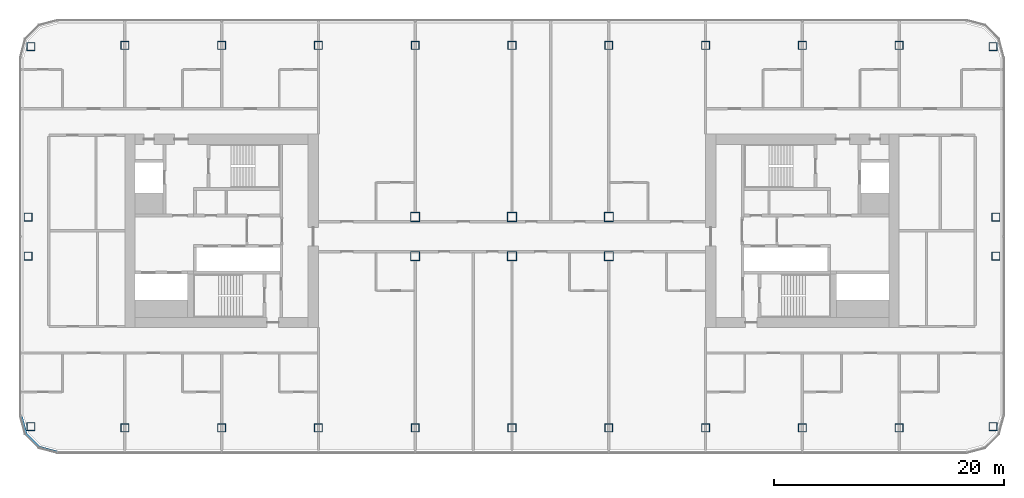
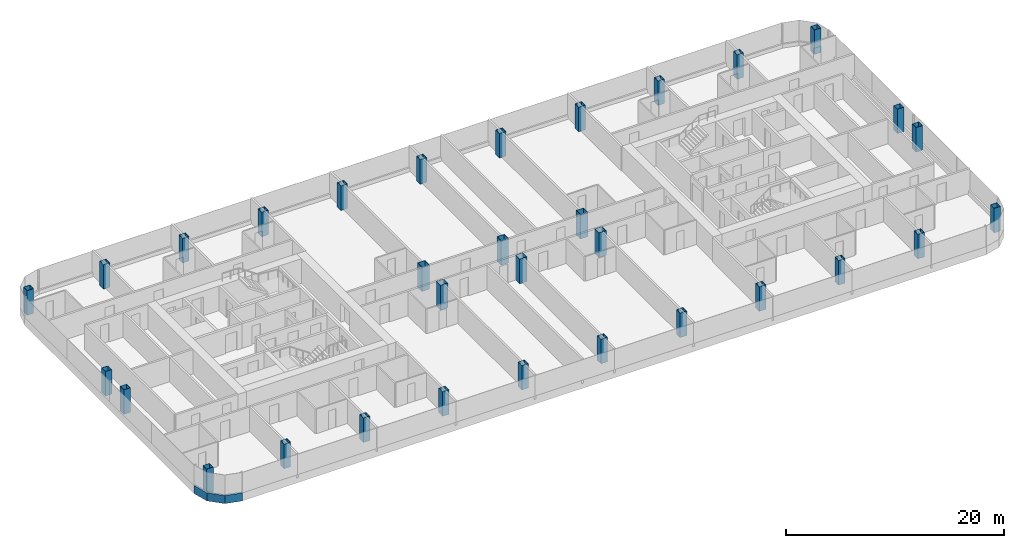
# One storey, part 1 of 26: 32 columns, 1 member, 1 element without a shape of its own.
"""IFC4 building model written with IfcOpenShell, lengths in metres."""

from ifc_helpers import new_model, si_unit, direction, frame, origin, origin_2d, place, context, subcontext, project, spatial, polyline, rectangle, hollow_rectangle, outline, extrude, material, layer, layer_set, material_profile, profile_set, type_object, element, aggregate, save


model = new_model("IFC4")

# Units and contexts
model_context = context("Model", 3, precision=1e-05, world=origin(), true_north=direction((0.0, 1.0)))
body_context = subcontext(model_context, "Body", "Model", "MODEL_VIEW")
ifc_project = project(units=[si_unit("LENGTHUNIT", "METRE"), si_unit("AREAUNIT", "SQUARE_METRE"), si_unit("VOLUMEUNIT", "CUBIC_METRE"), si_unit("PLANEANGLEUNIT", "RADIAN"), si_unit("MASSUNIT", "GRAM", prefix="KILO")], contexts=[model_context])

# Site, building, storey
site_placement = place(None, origin())
site = spatial("IfcSite", under=ifc_project, at=site_placement, CompositionType="ELEMENT")
building_placement = place(site_placement, origin())
building = spatial("IfcBuilding", under=site, at=building_placement, Name="Hakoniwa Tower and Hamabe Station Hall", CompositionType="ELEMENT")
storey_placement = place(building_placement, frame((0.0, 0.0, 131.0)))
storey = spatial("IfcBuildingStorey", under=building, at=storey_placement, Name="L36", CompositionType="ELEMENT", Elevation=131.0)

# Columns
ifc_material_1 = material(Name="Steel SN490C", Category="steel")
ifc_material_profile_1 = material_profile(ifc_material_1, hollow_rectangle(XDim=0.699951171875, YDim=0.699951171875, WallThickness=0.028076171875, at=origin_2d()), Name="BX-700x700x28")
ifc_profile_set_1 = profile_set([ifc_material_profile_1], Name="Steel SN490C")
column_type_1 = type_object("IfcColumnType", Name="COLUMN BX-700x700x28", PredefinedType="COLUMN", material=ifc_profile_set_1)
for number, where, z_axis, x_axis, name in (
    (1, (-41.74853515625, -16.99365234375, 0.0), (0.0, 0.0, 1.0), (1.0, 0.0, 0.0), "Column B3-2-A3"),
    (2, (-42.0, -2.199951171875, 0.0), (0.0, 0.0, 1.0), (1.0, 0.0, 0.0), "Column B3-2-C3"),
    (3, (-42.0, 1.199951171875, 0.0), (0.0, 0.0, 1.0), (1.0, 0.0, 0.0), "Column B3-2-D3"),
    (4, (-41.74853515625, 15.99365234375, 0.0), (0.0, 0.0, 1.0), (1.0, 0.0, 0.0), "Column B3-2-F3"),
    (5, (-33.60009765625, -17.10009765625, 0.0), (0.0, 0.0, 1.0), (1.0, 0.0, 0.0), "Column B3-3-A3"),
    (6, (-33.60009765625, 16.10009765625, 0.0), (0.0, 0.0, 1.0), (1.0, 0.0, 0.0), "Column B3-3-F3"),
    (7, (-25.199951171875, -17.10009765625, 0.0), (0.0, 0.0, 1.0), (1.0, 0.0, 0.0), "Column B3-4-A3"),
    (8, (-25.199951171875, 16.10009765625, 0.0), (0.0, 0.0, 1.0), (1.0, 0.0, 0.0), "Column B3-4-F3"),
    (9, (-16.800048828125, -17.10009765625, 0.0), (0.0, 0.0, 1.0), (1.0, 0.0, 0.0), "Column B3-5-A3"),
    (10, (-16.800048828125, 16.10009765625, 0.0), (0.0, 0.0, 1.0), (1.0, 0.0, 0.0), "Column B3-5-F3"),
    (11, (-8.39990234375, -17.10009765625, 0.0), (0.0, 0.0, 1.0), (1.0, 0.0, 0.0), "Column B3-6-A3"),
    (12, (-8.39990234375, 16.10009765625, 0.0), (0.0, 0.0, 1.0), (1.0, 0.0, 0.0), "Column B3-6-F3"),
    (13, (0.0, -17.10009765625, 0.0), (0.0, 0.0, 1.0), (1.0, 0.0, 0.0), "Column B3-7-A3"),
    (14, (0.0, 16.10009765625, 0.0), (0.0, 0.0, 1.0), (1.0, 0.0, 0.0), "Column B3-7-F3"),
    (15, (8.39990234375, -17.10009765625, 0.0), (0.0, 0.0, 1.0), (1.0, 0.0, 0.0), "Column B3-8-A3"),
    (16, (8.39990234375, 16.10009765625, 0.0), (0.0, 0.0, 1.0), (1.0, 0.0, 0.0), "Column B3-8-F3"),
    (17, (16.800048828125, -17.10009765625, 0.0), (0.0, 0.0, 1.0), (1.0, 0.0, 0.0), "Column B3-9-A3"),
    (18, (16.800048828125, 16.10009765625, 0.0), (0.0, 0.0, 1.0), (1.0, 0.0, 0.0), "Column B3-9-F3"),
    (19, (25.199951171875, -17.10009765625, 0.0), (0.0, 0.0, 1.0), (1.0, 0.0, 0.0), "Column B3-10-A3"),
    (20, (25.199951171875, 16.10009765625, 0.0), (0.0, 0.0, 1.0), (1.0, 0.0, 0.0), "Column B3-10-F3"),
    (21, (33.60009765625, -17.10009765625, 0.0), (0.0, 0.0, 1.0), (1.0, 0.0, 0.0), "Column B3-11-A3"),
    (22, (33.60009765625, 16.10009765625, 0.0), (0.0, 0.0, 1.0), (1.0, 0.0, 0.0), "Column B3-11-F3"),
    (23, (41.74853515625, -16.99365234375, 0.0), (0.0, 0.0, 1.0), (1.0, 0.0, 0.0), "Column B3-12-A3"),
    (24, (42.0, -2.199951171875, 0.0), (0.0, 0.0, 1.0), (1.0, 0.0, 0.0), "Column B3-12-C3"),
    (25, (42.0, 1.199951171875, 0.0), (0.0, 0.0, 1.0), (1.0, 0.0, 0.0), "Column B3-12-D3"),
    (26, (41.74853515625, 15.99365234375, 0.0), (0.0, 0.0, 1.0), (1.0, 0.0, 0.0), "Column B3-12-F3"),
):
    element("IfcColumn", number, at=place(storey_placement, frame(where, z_axis=z_axis, x_axis=x_axis)), inside=storey, type_object=column_type_1, Name=name, PredefinedType="COLUMN", context=body_context, shape_type="SweptSolid", body=[
        extrude(hollow_rectangle(XDim=0.699951171875, YDim=0.699951171875, WallThickness=0.028076171875, at=origin_2d()), origin(), (0.0, 0.0, 1.0), 2.75),
    ])
ifc_material_2 = material(Name="Steel SN490C", Category="steel")
ifc_material_profile_2 = material_profile(ifc_material_2, hollow_rectangle(XDim=0.800048828125, YDim=0.800048828125, WallThickness=0.031982421875, at=origin_2d()), Name="BX-800x800x32")
ifc_profile_set_2 = profile_set([ifc_material_profile_2], Name="Steel SN490C")
column_type_2 = type_object("IfcColumnType", Name="COLUMN BX-800x800x32", PredefinedType="COLUMN", material=ifc_profile_set_2)
for number, where, z_axis, x_axis, name in (
    (27, (-8.39990234375, -2.199951171875, 0.0), (0.0, 0.0, 1.0), (1.0, 0.0, 0.0), "Column B3-6-C3"),
    (28, (-8.39990234375, 1.199951171875, 0.0), (0.0, 0.0, 1.0), (1.0, 0.0, 0.0), "Column B3-6-D3"),
    (29, (0.0, -2.199951171875, 0.0), (0.0, 0.0, 1.0), (1.0, 0.0, 0.0), "Column B3-7-C3"),
    (30, (0.0, 1.199951171875, 0.0), (0.0, 0.0, 1.0), (1.0, 0.0, 0.0), "Column B3-7-D3"),
    (31, (8.39990234375, -2.199951171875, 0.0), (0.0, 0.0, 1.0), (1.0, 0.0, 0.0), "Column B3-8-C3"),
    (32, (8.39990234375, 1.199951171875, 0.0), (0.0, 0.0, 1.0), (1.0, 0.0, 0.0), "Column B3-8-D3"),
):
    element("IfcColumn", number, at=place(storey_placement, frame(where, z_axis=z_axis, x_axis=x_axis)), inside=storey, type_object=column_type_2, Name=name, PredefinedType="COLUMN", context=body_context, shape_type="SweptSolid", body=[
        extrude(hollow_rectangle(XDim=0.800048828125, YDim=0.800048828125, WallThickness=0.031982421875, at=origin_2d()), origin(), (0.0, 0.0, 1.0), 2.75),
    ])

# Curtain wall, member
ifc_material_3 = material(Name="Dark low-e laminated glass", Category="glass")
ifc_layer = layer(ifc_material_3, 0.199951171875)
ifc_layer_set = layer_set([ifc_layer], Name="CW-1 UNITISED GUEST")
curtain_wall_type = type_object("IfcCurtainWallType", Name="CW-1 UNITISED GUEST", PredefinedType="NOTDEFINED", material=ifc_layer_set)
curtain_wall_placement = place(storey_placement, origin())
curtain_wall = element("IfcCurtainWall", 33, at=curtain_wall_placement, inside=storey, type_object=curtain_wall_type, Name="CW-1 curtain wall", PredefinedType="NOTDEFINED")
ifc_material_4 = material(Name="Aluminium 6063-T5 black anodised", Category="aluminium")
ifc_material_profile_3 = material_profile(ifc_material_4, rectangle(XDim=0.199951171875, YDim=0.89990234375, at=origin_2d()), Name="CW SLAB-EDGE BAND 900X200")
ifc_profile_set_3 = profile_set([ifc_material_profile_3], Name="Aluminium 6063-T5 black anodised")
member_type = type_object("IfcMemberType", Name="CW SLAB-EDGE BAND 900X200", PredefinedType="USERDEFINED", material=ifc_profile_set_3)
member_placement = place(storey_placement, frame((0.0, 0.0, -0.550048828125)))
member = element("IfcMember", 34, at=member_placement, type_object=member_type, Name="CW-1 transom", ObjectType="TRANSOM", PredefinedType="USERDEFINED", context=body_context, shape_type="SweptSolid", body=[
    extrude(outline(polyline([(-42.699951171875, -16.03955078125), (-42.26708984375, -17.6552734375), (-41.05517578125, -18.866943359375), (-39.439453125, -19.300048828125), (-39.3876953125, -19.10693359375), (-40.95166015625, -18.687744140625), (-42.087646484375, -17.5517578125), (-42.5068359375, -15.98779296875), (-42.699951171875, -16.03955078125)])), origin(), (0.0, 0.0, 1.0), 0.900146484375),
])
aggregate(curtain_wall, [member])

save(model, "model.ifc")
